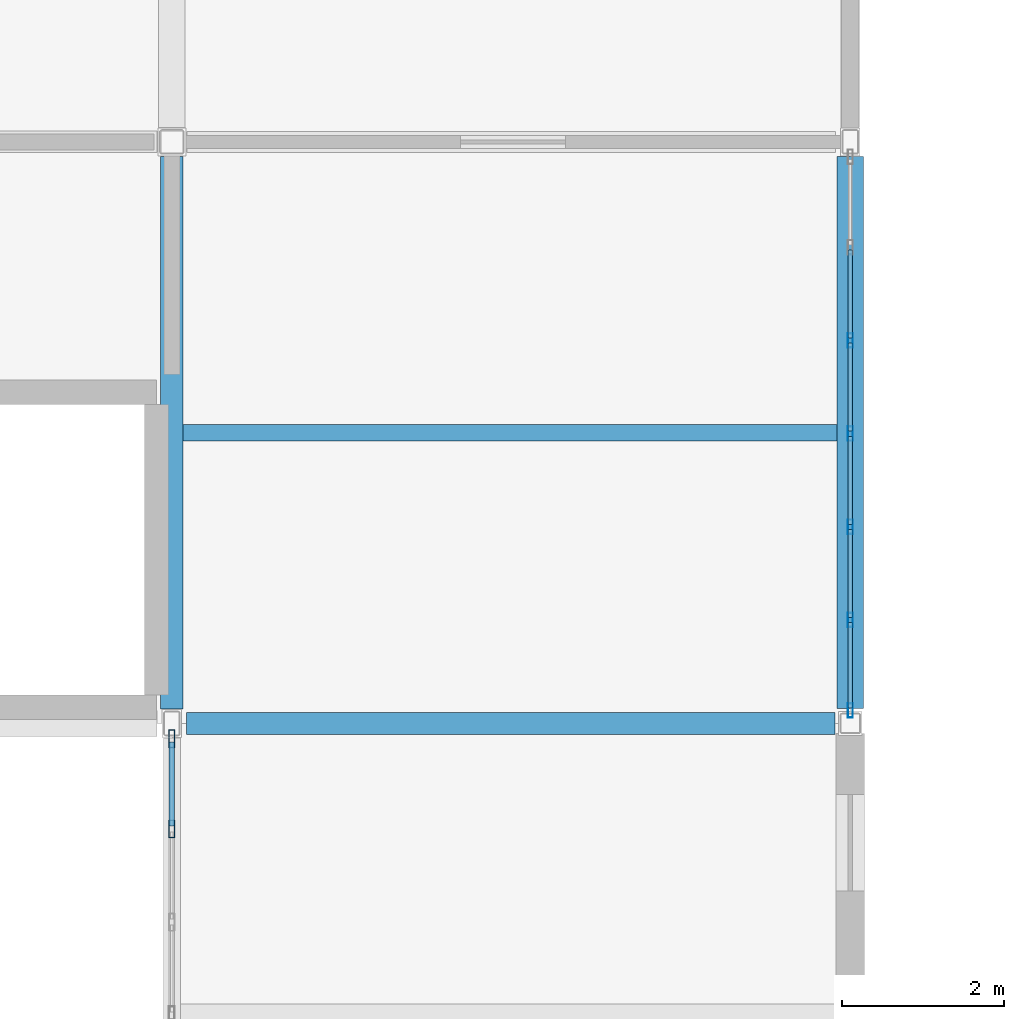
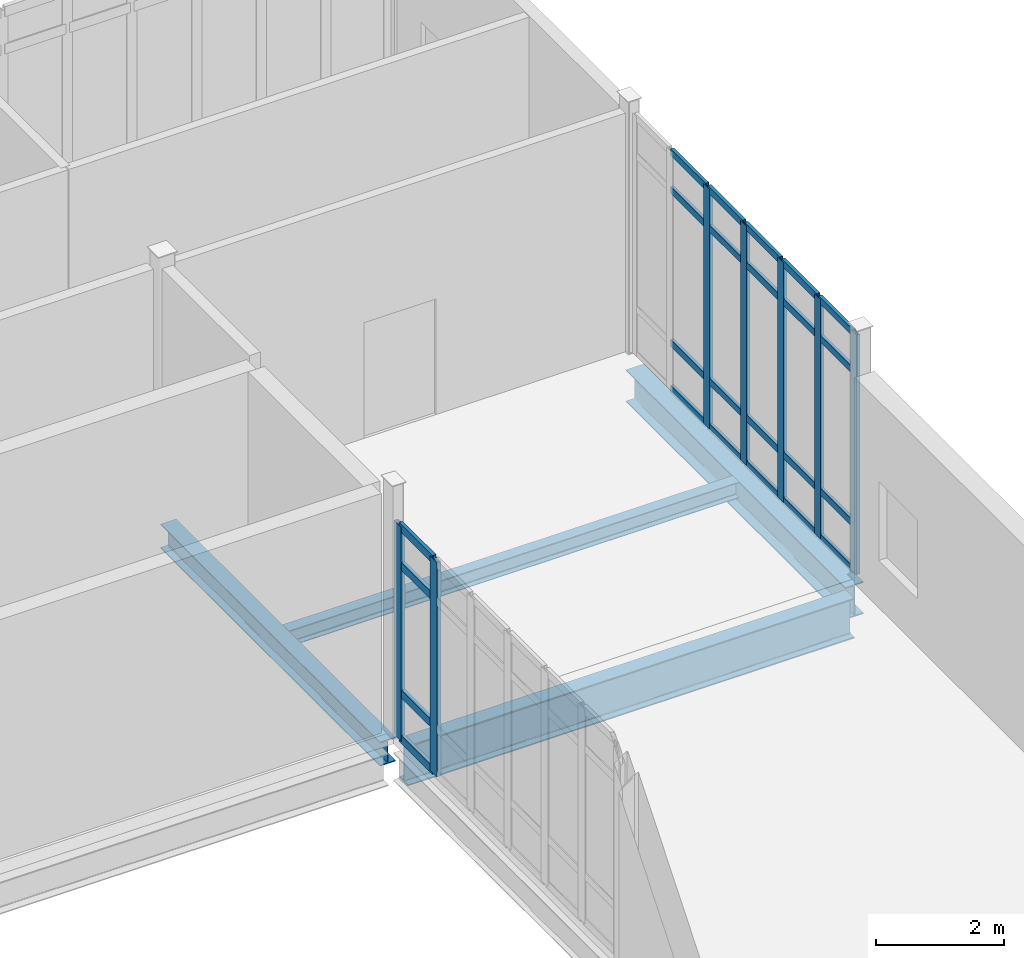
# One storey, part 65 of 153: 31 members, 4 beams, 2 elements without a shape of their own.
"""IFC4 building model written with IfcOpenShell, lengths in metres."""

from ifc_helpers import new_model, si_unit, direction, frame, origin, origin_2d, place, context, subcontext, project, spatial, hollow_rectangle, i_section, extrude, material, layer, layer_set, material_profile, profile_set, type_object, element, aggregate, save


model = new_model("IFC4")

# Units and contexts
model_context = context("Model", 3, precision=1e-05, world=origin(), true_north=direction((0.0, 1.0)))
body_context = subcontext(model_context, "Body", "Model", "MODEL_VIEW")
ifc_project = project(units=[si_unit("LENGTHUNIT", "METRE"), si_unit("AREAUNIT", "SQUARE_METRE"), si_unit("VOLUMEUNIT", "CUBIC_METRE"), si_unit("PLANEANGLEUNIT", "RADIAN"), si_unit("MASSUNIT", "GRAM", prefix="KILO")], contexts=[model_context])

# Site, building, storey
site_placement = place(None, origin())
site = spatial("IfcSite", under=ifc_project, at=site_placement, CompositionType="ELEMENT")
building_placement = place(site_placement, origin())
building = spatial("IfcBuilding", under=site, at=building_placement, Name="Calvrana Isthmian Art Gallery", CompositionType="ELEMENT")
storey_placement = place(building_placement, frame((0.0, 0.0, 10.199951171875)))
storey = spatial("IfcBuildingStorey", under=building, at=storey_placement, Name="L02", CompositionType="ELEMENT", Elevation=10.199951171875)

# Beams
ifc_material_1 = material(Name="Steel ASTM A992 Gr 50", Category="steel")
ifc_material_profile_1 = material_profile(ifc_material_1, i_section(OverallWidth=0.279052734375, OverallDepth=0.4619140625, WebThickness=0.0107421875, FlangeThickness=0.017333984375, FilletRadius=0.02001953125, at=origin_2d()), Name="W18X76")
ifc_profile_set_1 = profile_set([ifc_material_profile_1], Name="Steel ASTM A992 Gr 50")
beam_type_1 = type_object("IfcBeamType", Name="BM-G-W18X76", PredefinedType="BEAM", material=ifc_profile_set_1)
beam_1_placement = place(storey_placement, frame((55.199951171875, 98.577880859375, -0.495849609375), z_axis=(0.0, 1.0, 0.0), x_axis=(-1.0, 0.0, 0.0)))
element("IfcBeam", 1, at=beam_1_placement, inside=storey, type_object=beam_type_1, Name="Girder Y L02 08/N-O", PredefinedType="BEAM", context=body_context, shape_type="SweptSolid", body=[
    extrude(i_section(OverallWidth=0.279052734375, OverallDepth=0.4619140625, WebThickness=0.0107421875, FlangeThickness=0.017333984375, FilletRadius=0.02001953125, at=origin_2d()), origin(), (0.0, 0.0, 1.0), 6.840576171875),
])
ifc_material_profile_2 = material_profile(ifc_material_1, i_section(OverallWidth=0.324951171875, OverallDepth=0.612060546875, WebThickness=0.0126953125, FlangeThickness=0.01904296875, FilletRadius=0.02197265625, at=origin_2d()), Name="W24X104")
ifc_profile_set_2 = profile_set([ifc_material_profile_2], Name="Steel ASTM A992 Gr 50")
beam_type_2 = type_object("IfcBeamType", Name="BM-G-W24X104", PredefinedType="BEAM", material=ifc_profile_set_2)
beam_2_placement = place(storey_placement, frame((63.60009765625, 98.58642578125, -0.571044921875), z_axis=(0.0, 1.0, 0.0), x_axis=(-1.0, 0.0, 0.0)))
element("IfcBeam", 2, at=beam_2_placement, inside=storey, type_object=beam_type_2, Name="Girder Y L02 09/N-O", PredefinedType="BEAM", context=body_context, shape_type="SweptSolid", body=[
    extrude(i_section(OverallWidth=0.324951171875, OverallDepth=0.612060546875, WebThickness=0.0126953125, FlangeThickness=0.01904296875, FilletRadius=0.02197265625, at=origin_2d()), origin(), (0.0, 0.0, 1.0), 6.835693359375),
])
ifc_material_profile_3 = material_profile(ifc_material_1, i_section(OverallWidth=0.26708984375, OverallDepth=0.761962890625, WebThickness=0.014404296875, FlangeThickness=0.021484375, FilletRadius=0.02490234375, at=origin_2d()), Name="W30X116")
ifc_profile_set_3 = profile_set([ifc_material_profile_3], Name="Steel ASTM A992 Gr 50")
beam_type_3 = type_object("IfcBeamType", Name="BM-G-W30X116", PredefinedType="BEAM", material=ifc_profile_set_3)
beam_3_placement = place(storey_placement, frame((55.384033203125, 98.39990234375, -0.64599609375), z_axis=(1.0, 0.0, 0.0), x_axis=(0.0, 1.0, 0.0)))
element("IfcBeam", 3, at=beam_3_placement, inside=storey, type_object=beam_type_3, Name="Girder X L02 08-09/N", PredefinedType="BEAM", context=body_context, shape_type="SweptSolid", body=[
    extrude(i_section(OverallWidth=0.26708984375, OverallDepth=0.761962890625, WebThickness=0.014404296875, FlangeThickness=0.021484375, FilletRadius=0.02490234375, at=origin_2d()), origin(), (0.0, 0.0, 1.0), 8.029541015625),
])
ifc_material_profile_4 = material_profile(ifc_material_1, i_section(OverallWidth=0.202880859375, OverallDepth=0.302001953125, WebThickness=0.007568359375, FlangeThickness=0.01318359375, FilletRadius=0.01611328125, at=origin_2d()), Name="W12X40")
ifc_profile_set_4 = profile_set([ifc_material_profile_4], Name="Steel ASTM A992 Gr 50")
beam_type_4 = type_object("IfcBeamType", Name="BM-J-W12X40", PredefinedType="JOIST", material=ifc_profile_set_4)
beam_4_placement = place(storey_placement, frame((55.339599609375, 102.0, -0.416015625), z_axis=(1.0, 0.0, 0.0), x_axis=(0.0, 1.0, 0.0)))
element("IfcBeam", 4, at=beam_4_placement, inside=storey, type_object=beam_type_4, Name="Composite joist L02 bay 07-13", PredefinedType="JOIST", context=body_context, shape_type="SweptSolid", body=[
    extrude(i_section(OverallWidth=0.202880859375, OverallDepth=0.302001953125, WebThickness=0.007568359375, FlangeThickness=0.01318359375, FilletRadius=0.01611328125, at=origin_2d()), origin(), (0.0, 0.0, 1.0), 8.097900390625),
])

# Curtain wall, members
ifc_material_2 = material(Name="Anodized bronze aluminium 6063-T6", Category="aluminium")
ifc_layer_1 = layer(ifc_material_2, 0.179931640625, Name="Anodized bronze aluminium 6063-T6")
ifc_layer_set_1 = layer_set([ifc_layer_1], Name="Anodized bronze aluminium 6063-T6")
curtain_wall_type_1 = type_object("IfcCurtainWallType", Name="CW-STICK-069X46", PredefinedType="NOTDEFINED", material=ifc_layer_set_1)
curtain_wall_1_placement = place(storey_placement, origin())
curtain_wall_1 = element("IfcCurtainWall", 5, at=curtain_wall_1_placement, inside=storey, type_object=curtain_wall_type_1, Name="Curtain wall CW-176", PredefinedType="NOTDEFINED")
ifc_material_profile_5 = material_profile(ifc_material_2, hollow_rectangle(XDim=0.06494140625, YDim=0.179931640625, WallThickness=0.00439453125, at=origin_2d()), Name="CWM65X180")
ifc_profile_set_5 = profile_set([ifc_material_profile_5], Name="Anodized bronze aluminium 6063-T6")
member_type_1 = type_object("IfcMemberType", Name="CWM-CWM65X180", PredefinedType="MULLION", material=ifc_profile_set_5)
member_1_placement = place(storey_placement, frame((63.60009765625, 103.140625, 0.0), z_axis=(0.0, 0.0, 1.0), x_axis=(1.0, 0.0, 0.0)))
member_1 = element("IfcMember", 6, at=member_1_placement, type_object=member_type_1, Name="CW-176 mullion 3", PredefinedType="MULLION", context=body_context, shape_type="SweptSolid", body=[
    extrude(hollow_rectangle(XDim=0.06494140625, YDim=0.179931640625, WallThickness=0.00439453125, at=origin_2d()), origin(), (0.0, 0.0, 1.0), 4.56005859375),
])
member_2_placement = place(storey_placement, frame((63.60009765625, 101.9873046875, 0.0), z_axis=(0.0, 0.0, 1.0), x_axis=(1.0, 0.0, 0.0)))
member_2 = element("IfcMember", 7, at=member_2_placement, type_object=member_type_1, Name="CW-176 mullion 4", PredefinedType="MULLION", context=body_context, shape_type="SweptSolid", body=[
    extrude(hollow_rectangle(XDim=0.06494140625, YDim=0.179931640625, WallThickness=0.00439453125, at=origin_2d()), origin(), (0.0, 0.0, 1.0), 4.56005859375),
])
member_3_placement = place(storey_placement, frame((63.60009765625, 100.833984375, 0.0), z_axis=(0.0, 0.0, 1.0), x_axis=(1.0, 0.0, 0.0)))
member_3 = element("IfcMember", 8, at=member_3_placement, type_object=member_type_1, Name="CW-176 mullion 5", PredefinedType="MULLION", context=body_context, shape_type="SweptSolid", body=[
    extrude(hollow_rectangle(XDim=0.06494140625, YDim=0.179931640625, WallThickness=0.00439453125, at=origin_2d()), origin(), (0.0, 0.0, 1.0), 4.56005859375),
])
member_4_placement = place(storey_placement, frame((63.60009765625, 99.680419921875, 0.0), z_axis=(0.0, 0.0, 1.0), x_axis=(1.0, 0.0, 0.0)))
member_4 = element("IfcMember", 9, at=member_4_placement, type_object=member_type_1, Name="CW-176 mullion 6", PredefinedType="MULLION", context=body_context, shape_type="SweptSolid", body=[
    extrude(hollow_rectangle(XDim=0.06494140625, YDim=0.179931640625, WallThickness=0.00439453125, at=origin_2d()), origin(), (0.0, 0.0, 1.0), 4.56005859375),
])
member_5_placement = place(storey_placement, frame((63.60009765625, 98.5595703125, 0.0), z_axis=(0.0, 0.0, 1.0), x_axis=(1.0, 0.0, 0.0)))
member_5 = element("IfcMember", 10, at=member_5_placement, type_object=member_type_1, Name="CW-176 mullion 7", PredefinedType="MULLION", context=body_context, shape_type="SweptSolid", body=[
    extrude(hollow_rectangle(XDim=0.06494140625, YDim=0.179931640625, WallThickness=0.00439453125, at=origin_2d()), origin(), (0.0, 0.0, 1.0), 4.56005859375),
])

ifc_layer_2 = layer(ifc_material_2, 0.179931640625, Name="Anodized bronze aluminium 6063-T6")
ifc_layer_set_2 = layer_set([ifc_layer_2], Name="Anodized bronze aluminium 6063-T6")
curtain_wall_type_2 = type_object("IfcCurtainWallType", Name="CW-UNIT-069X41", PredefinedType="USERDEFINED", material=ifc_layer_set_2)
curtain_wall_2_placement = place(storey_placement, origin())
curtain_wall_2 = element("IfcCurtainWall", 11, at=curtain_wall_2_placement, inside=storey, type_object=curtain_wall_type_2, Name="Curtain wall CW-172", ObjectType="UNITISED CURTAIN WALL", PredefinedType="USERDEFINED")
ifc_material_profile_6 = material_profile(ifc_material_2, hollow_rectangle(XDim=0.074951171875, YDim=0.219970703125, WallThickness=0.0048828125, at=origin_2d()), Name="CWM75X220")
ifc_profile_set_6 = profile_set([ifc_material_profile_6], Name="Anodized bronze aluminium 6063-T6")
member_type_2 = type_object("IfcMemberType", Name="CWM-CWM75X220", PredefinedType="MULLION", material=ifc_profile_set_6)
member_6_placement = place(storey_placement, frame((55.199951171875, 97.09423828125, 0.0), z_axis=(0.0, 0.0, 1.0), x_axis=(-1.0, 0.0, 0.0)))
member_6 = element("IfcMember", 12, at=member_6_placement, type_object=member_type_2, Name="CW-172 mullion 6", PredefinedType="MULLION", context=body_context, shape_type="SweptSolid", body=[
    extrude(hollow_rectangle(XDim=0.074951171875, YDim=0.219970703125, WallThickness=0.0048828125, at=origin_2d()), origin(), (0.0, 0.0, 1.0), 4.078125),
])
member_7_placement = place(storey_placement, frame((55.199951171875, 98.210205078125, 0.0), z_axis=(0.0, 0.0, 1.0), x_axis=(-1.0, 0.0, 0.0)))
member_7 = element("IfcMember", 13, at=member_7_placement, type_object=member_type_2, Name="CW-172 mullion 7", PredefinedType="MULLION", context=body_context, shape_type="SweptSolid", body=[
    extrude(hollow_rectangle(XDim=0.074951171875, YDim=0.219970703125, WallThickness=0.0048828125, at=origin_2d()), origin(), (0.0, 0.0, 1.0), 4.078125),
])

# Member
ifc_material_profile_7 = material_profile(ifc_material_2, hollow_rectangle(XDim=0.06005859375, YDim=0.1298828125, WallThickness=0.00390625, at=origin_2d()), Name="CWT60X130")
ifc_profile_set_7 = profile_set([ifc_material_profile_7], Name="Anodized bronze aluminium 6063-T6")
member_type_3 = type_object("IfcMemberType", Name="CWT-CWT60X130", PredefinedType="USERDEFINED", material=ifc_profile_set_7)
member_8_placement = place(storey_placement, frame((63.60009765625, 104.26171875, 0.030029296875), z_axis=(0.0, -1.0, 0.0), x_axis=(1.0, 0.0, 0.0)))
member_8 = element("IfcMember", 14, at=member_8_placement, type_object=member_type_3, Name="CW-176 transom 2.1", ObjectType="TRANSOM", PredefinedType="USERDEFINED", context=body_context, shape_type="SweptSolid", body=[
    extrude(hollow_rectangle(XDim=0.06005859375, YDim=0.1298828125, WallThickness=0.00390625, at=origin_2d()), origin(), (0.0, 0.0, 1.0), 1.08837890625),
])

member_9_placement = place(storey_placement, frame((63.60009765625, 104.26171875, 0.900146484375), z_axis=(0.0, -1.0, 0.0), x_axis=(1.0, 0.0, 0.0)))
member_9 = element("IfcMember", 15, at=member_9_placement, type_object=member_type_3, Name="CW-176 transom 2.2", ObjectType="TRANSOM", PredefinedType="USERDEFINED", context=body_context, shape_type="SweptSolid", body=[
    extrude(hollow_rectangle(XDim=0.06005859375, YDim=0.1298828125, WallThickness=0.00390625, at=origin_2d()), origin(), (0.0, 0.0, 1.0), 1.08837890625),
])

member_10_placement = place(storey_placement, frame((63.60009765625, 104.26171875, 3.81005859375), z_axis=(0.0, -1.0, 0.0), x_axis=(1.0, 0.0, 0.0)))
member_10 = element("IfcMember", 16, at=member_10_placement, type_object=member_type_3, Name="CW-176 transom 2.3", ObjectType="TRANSOM", PredefinedType="USERDEFINED", context=body_context, shape_type="SweptSolid", body=[
    extrude(hollow_rectangle(XDim=0.06005859375, YDim=0.1298828125, WallThickness=0.00390625, at=origin_2d()), origin(), (0.0, 0.0, 1.0), 1.08837890625),
])

member_11_placement = place(storey_placement, frame((63.60009765625, 104.26171875, 4.530029296875), z_axis=(0.0, -1.0, 0.0), x_axis=(1.0, 0.0, 0.0)))
member_11 = element("IfcMember", 17, at=member_11_placement, type_object=member_type_3, Name="CW-176 transom 2.4", ObjectType="TRANSOM", PredefinedType="USERDEFINED", context=body_context, shape_type="SweptSolid", body=[
    extrude(hollow_rectangle(XDim=0.06005859375, YDim=0.1298828125, WallThickness=0.00390625, at=origin_2d()), origin(), (0.0, 0.0, 1.0), 1.08837890625),
])

member_12_placement = place(storey_placement, frame((63.60009765625, 103.108154296875, 0.030029296875), z_axis=(0.0, -1.0, 0.0), x_axis=(1.0, 0.0, 0.0)))
member_12 = element("IfcMember", 18, at=member_12_placement, type_object=member_type_3, Name="CW-176 transom 3.1", ObjectType="TRANSOM", PredefinedType="USERDEFINED", context=body_context, shape_type="SweptSolid", body=[
    extrude(hollow_rectangle(XDim=0.06005859375, YDim=0.1298828125, WallThickness=0.00390625, at=origin_2d()), origin(), (0.0, 0.0, 1.0), 1.08837890625),
])

member_13_placement = place(storey_placement, frame((63.60009765625, 103.108154296875, 0.900146484375), z_axis=(0.0, -1.0, 0.0), x_axis=(1.0, 0.0, 0.0)))
member_13 = element("IfcMember", 19, at=member_13_placement, type_object=member_type_3, Name="CW-176 transom 3.2", ObjectType="TRANSOM", PredefinedType="USERDEFINED", context=body_context, shape_type="SweptSolid", body=[
    extrude(hollow_rectangle(XDim=0.06005859375, YDim=0.1298828125, WallThickness=0.00390625, at=origin_2d()), origin(), (0.0, 0.0, 1.0), 1.08837890625),
])

member_14_placement = place(storey_placement, frame((63.60009765625, 103.108154296875, 3.81005859375), z_axis=(0.0, -1.0, 0.0), x_axis=(1.0, 0.0, 0.0)))
member_14 = element("IfcMember", 20, at=member_14_placement, type_object=member_type_3, Name="CW-176 transom 3.3", ObjectType="TRANSOM", PredefinedType="USERDEFINED", context=body_context, shape_type="SweptSolid", body=[
    extrude(hollow_rectangle(XDim=0.06005859375, YDim=0.1298828125, WallThickness=0.00390625, at=origin_2d()), origin(), (0.0, 0.0, 1.0), 1.08837890625),
])

member_15_placement = place(storey_placement, frame((63.60009765625, 103.108154296875, 4.530029296875), z_axis=(0.0, -1.0, 0.0), x_axis=(1.0, 0.0, 0.0)))
member_15 = element("IfcMember", 21, at=member_15_placement, type_object=member_type_3, Name="CW-176 transom 3.4", ObjectType="TRANSOM", PredefinedType="USERDEFINED", context=body_context, shape_type="SweptSolid", body=[
    extrude(hollow_rectangle(XDim=0.06005859375, YDim=0.1298828125, WallThickness=0.00390625, at=origin_2d()), origin(), (0.0, 0.0, 1.0), 1.08837890625),
])

member_16_placement = place(storey_placement, frame((63.60009765625, 101.954833984375, 0.030029296875), z_axis=(0.0, -1.0, 0.0), x_axis=(1.0, 0.0, 0.0)))
member_16 = element("IfcMember", 22, at=member_16_placement, type_object=member_type_3, Name="CW-176 transom 4.1", ObjectType="TRANSOM", PredefinedType="USERDEFINED", context=body_context, shape_type="SweptSolid", body=[
    extrude(hollow_rectangle(XDim=0.06005859375, YDim=0.1298828125, WallThickness=0.00390625, at=origin_2d()), origin(), (0.0, 0.0, 1.0), 1.08837890625),
])

member_17_placement = place(storey_placement, frame((63.60009765625, 101.954833984375, 0.900146484375), z_axis=(0.0, -1.0, 0.0), x_axis=(1.0, 0.0, 0.0)))
member_17 = element("IfcMember", 23, at=member_17_placement, type_object=member_type_3, Name="CW-176 transom 4.2", ObjectType="TRANSOM", PredefinedType="USERDEFINED", context=body_context, shape_type="SweptSolid", body=[
    extrude(hollow_rectangle(XDim=0.06005859375, YDim=0.1298828125, WallThickness=0.00390625, at=origin_2d()), origin(), (0.0, 0.0, 1.0), 1.08837890625),
])

member_18_placement = place(storey_placement, frame((63.60009765625, 101.954833984375, 3.81005859375), z_axis=(0.0, -1.0, 0.0), x_axis=(1.0, 0.0, 0.0)))
member_18 = element("IfcMember", 24, at=member_18_placement, type_object=member_type_3, Name="CW-176 transom 4.3", ObjectType="TRANSOM", PredefinedType="USERDEFINED", context=body_context, shape_type="SweptSolid", body=[
    extrude(hollow_rectangle(XDim=0.06005859375, YDim=0.1298828125, WallThickness=0.00390625, at=origin_2d()), origin(), (0.0, 0.0, 1.0), 1.08837890625),
])

member_19_placement = place(storey_placement, frame((63.60009765625, 101.954833984375, 4.530029296875), z_axis=(0.0, -1.0, 0.0), x_axis=(1.0, 0.0, 0.0)))
member_19 = element("IfcMember", 25, at=member_19_placement, type_object=member_type_3, Name="CW-176 transom 4.4", ObjectType="TRANSOM", PredefinedType="USERDEFINED", context=body_context, shape_type="SweptSolid", body=[
    extrude(hollow_rectangle(XDim=0.06005859375, YDim=0.1298828125, WallThickness=0.00390625, at=origin_2d()), origin(), (0.0, 0.0, 1.0), 1.08837890625),
])

member_20_placement = place(storey_placement, frame((63.60009765625, 100.80126953125, 0.030029296875), z_axis=(0.0, -1.0, 0.0), x_axis=(1.0, 0.0, 0.0)))
member_20 = element("IfcMember", 26, at=member_20_placement, type_object=member_type_3, Name="CW-176 transom 5.1", ObjectType="TRANSOM", PredefinedType="USERDEFINED", context=body_context, shape_type="SweptSolid", body=[
    extrude(hollow_rectangle(XDim=0.06005859375, YDim=0.1298828125, WallThickness=0.00390625, at=origin_2d()), origin(), (0.0, 0.0, 1.0), 1.08837890625),
])

member_21_placement = place(storey_placement, frame((63.60009765625, 100.80126953125, 0.900146484375), z_axis=(0.0, -1.0, 0.0), x_axis=(1.0, 0.0, 0.0)))
member_21 = element("IfcMember", 27, at=member_21_placement, type_object=member_type_3, Name="CW-176 transom 5.2", ObjectType="TRANSOM", PredefinedType="USERDEFINED", context=body_context, shape_type="SweptSolid", body=[
    extrude(hollow_rectangle(XDim=0.06005859375, YDim=0.1298828125, WallThickness=0.00390625, at=origin_2d()), origin(), (0.0, 0.0, 1.0), 1.08837890625),
])

member_22_placement = place(storey_placement, frame((63.60009765625, 100.80126953125, 3.81005859375), z_axis=(0.0, -1.0, 0.0), x_axis=(1.0, 0.0, 0.0)))
member_22 = element("IfcMember", 28, at=member_22_placement, type_object=member_type_3, Name="CW-176 transom 5.3", ObjectType="TRANSOM", PredefinedType="USERDEFINED", context=body_context, shape_type="SweptSolid", body=[
    extrude(hollow_rectangle(XDim=0.06005859375, YDim=0.1298828125, WallThickness=0.00390625, at=origin_2d()), origin(), (0.0, 0.0, 1.0), 1.08837890625),
])

member_23_placement = place(storey_placement, frame((63.60009765625, 100.80126953125, 4.530029296875), z_axis=(0.0, -1.0, 0.0), x_axis=(1.0, 0.0, 0.0)))
member_23 = element("IfcMember", 29, at=member_23_placement, type_object=member_type_3, Name="CW-176 transom 5.4", ObjectType="TRANSOM", PredefinedType="USERDEFINED", context=body_context, shape_type="SweptSolid", body=[
    extrude(hollow_rectangle(XDim=0.06005859375, YDim=0.1298828125, WallThickness=0.00390625, at=origin_2d()), origin(), (0.0, 0.0, 1.0), 1.08837890625),
])

member_24_placement = place(storey_placement, frame((63.60009765625, 99.64794921875, 0.030029296875), z_axis=(0.0, -1.0, 0.0), x_axis=(1.0, 0.0, 0.0)))
member_24 = element("IfcMember", 30, at=member_24_placement, type_object=member_type_3, Name="CW-176 transom 6.1", ObjectType="TRANSOM", PredefinedType="USERDEFINED", context=body_context, shape_type="SweptSolid", body=[
    extrude(hollow_rectangle(XDim=0.06005859375, YDim=0.1298828125, WallThickness=0.00390625, at=origin_2d()), origin(), (0.0, 0.0, 1.0), 1.055908203125),
])

member_25_placement = place(storey_placement, frame((63.60009765625, 99.64794921875, 0.900146484375), z_axis=(0.0, -1.0, 0.0), x_axis=(1.0, 0.0, 0.0)))
member_25 = element("IfcMember", 31, at=member_25_placement, type_object=member_type_3, Name="CW-176 transom 6.2", ObjectType="TRANSOM", PredefinedType="USERDEFINED", context=body_context, shape_type="SweptSolid", body=[
    extrude(hollow_rectangle(XDim=0.06005859375, YDim=0.1298828125, WallThickness=0.00390625, at=origin_2d()), origin(), (0.0, 0.0, 1.0), 1.055908203125),
])

member_26_placement = place(storey_placement, frame((63.60009765625, 99.64794921875, 3.81005859375), z_axis=(0.0, -1.0, 0.0), x_axis=(1.0, 0.0, 0.0)))
member_26 = element("IfcMember", 32, at=member_26_placement, type_object=member_type_3, Name="CW-176 transom 6.3", ObjectType="TRANSOM", PredefinedType="USERDEFINED", context=body_context, shape_type="SweptSolid", body=[
    extrude(hollow_rectangle(XDim=0.06005859375, YDim=0.1298828125, WallThickness=0.00390625, at=origin_2d()), origin(), (0.0, 0.0, 1.0), 1.055908203125),
])

member_27_placement = place(storey_placement, frame((63.60009765625, 99.64794921875, 4.530029296875), z_axis=(0.0, -1.0, 0.0), x_axis=(1.0, 0.0, 0.0)))
member_27 = element("IfcMember", 33, at=member_27_placement, type_object=member_type_3, Name="CW-176 transom 6.4", ObjectType="TRANSOM", PredefinedType="USERDEFINED", context=body_context, shape_type="SweptSolid", body=[
    extrude(hollow_rectangle(XDim=0.06005859375, YDim=0.1298828125, WallThickness=0.00390625, at=origin_2d()), origin(), (0.0, 0.0, 1.0), 1.055908203125),
])

aggregate(curtain_wall_1, [member_1, member_2, member_3, member_4, member_5, member_8, member_9, member_10, member_11, member_12, member_13, member_14, member_15, member_16, member_17, member_18, member_19, member_20, member_21, member_22, member_23, member_24, member_25, member_26, member_27])

ifc_material_profile_8 = material_profile(ifc_material_2, hollow_rectangle(XDim=0.06494140625, YDim=0.14990234375, WallThickness=0.00390625, at=origin_2d()), Name="CWT65X150")
ifc_profile_set_8 = profile_set([ifc_material_profile_8], Name="Anodized bronze aluminium 6063-T6")
member_type_4 = type_object("IfcMemberType", Name="CWT-CWT65X150", PredefinedType="USERDEFINED", material=ifc_profile_set_8)
member_28_placement = place(storey_placement, frame((55.199951171875, 97.131591796875, 0.032470703125), z_axis=(0.0, 1.0, 0.0), x_axis=(-1.0, 0.0, 0.0)))
member_28 = element("IfcMember", 34, at=member_28_placement, type_object=member_type_4, Name="CW-172 transom 6.1", ObjectType="TRANSOM", PredefinedType="USERDEFINED", context=body_context, shape_type="SweptSolid", body=[
    extrude(hollow_rectangle(XDim=0.06494140625, YDim=0.14990234375, WallThickness=0.00390625, at=origin_2d()), origin(), (0.0, 0.0, 1.0), 1.041015625),
])

member_29_placement = place(storey_placement, frame((55.199951171875, 97.131591796875, 0.900146484375), z_axis=(0.0, 1.0, 0.0), x_axis=(-1.0, 0.0, 0.0)))
member_29 = element("IfcMember", 35, at=member_29_placement, type_object=member_type_4, Name="CW-172 transom 6.2", ObjectType="TRANSOM", PredefinedType="USERDEFINED", context=body_context, shape_type="SweptSolid", body=[
    extrude(hollow_rectangle(XDim=0.06494140625, YDim=0.14990234375, WallThickness=0.00390625, at=origin_2d()), origin(), (0.0, 0.0, 1.0), 1.041015625),
])

member_30_placement = place(storey_placement, frame((55.199951171875, 97.131591796875, 3.328125), z_axis=(0.0, 1.0, 0.0), x_axis=(-1.0, 0.0, 0.0)))
member_30 = element("IfcMember", 36, at=member_30_placement, type_object=member_type_4, Name="CW-172 transom 6.3", ObjectType="TRANSOM", PredefinedType="USERDEFINED", context=body_context, shape_type="SweptSolid", body=[
    extrude(hollow_rectangle(XDim=0.06494140625, YDim=0.14990234375, WallThickness=0.00390625, at=origin_2d()), origin(), (0.0, 0.0, 1.0), 1.041015625),
])

member_31_placement = place(storey_placement, frame((55.199951171875, 97.131591796875, 4.045654296875), z_axis=(0.0, 1.0, 0.0), x_axis=(-1.0, 0.0, 0.0)))
member_31 = element("IfcMember", 37, at=member_31_placement, type_object=member_type_4, Name="CW-172 transom 6.4", ObjectType="TRANSOM", PredefinedType="USERDEFINED", context=body_context, shape_type="SweptSolid", body=[
    extrude(hollow_rectangle(XDim=0.06494140625, YDim=0.14990234375, WallThickness=0.00390625, at=origin_2d()), origin(), (0.0, 0.0, 1.0), 1.041015625),
])

aggregate(curtain_wall_2, [member_6, member_7, member_28, member_29, member_30, member_31])

save(model, "model.ifc")
